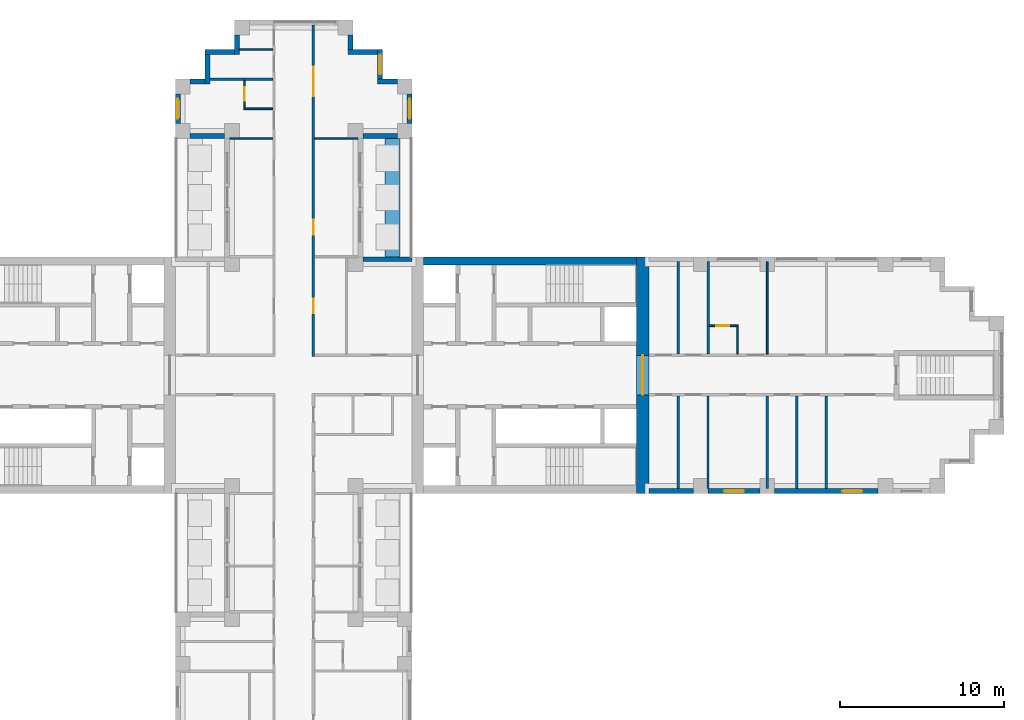
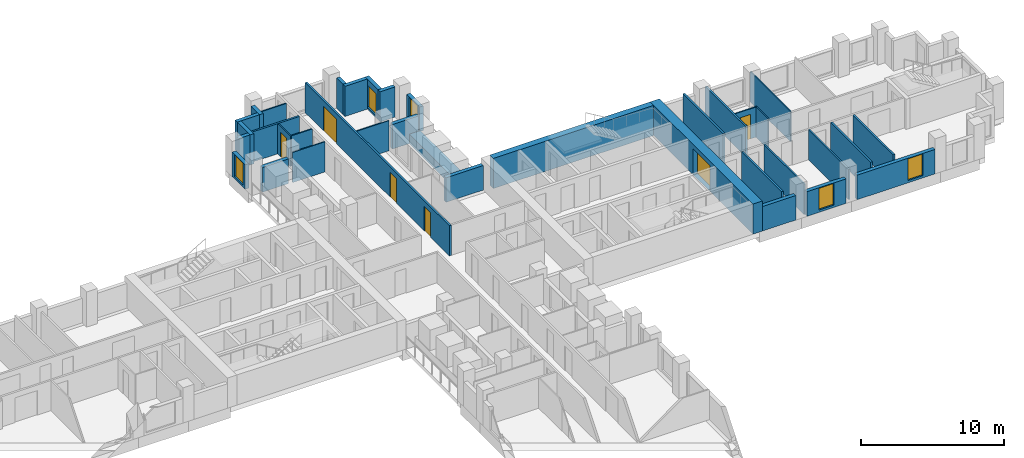
# One storey, part 9 of 13: 36 walls, 6 doors, 5 windows, 11 openings.
"""IFC4 building model written with IfcOpenShell, lengths in metres."""

from ifc_helpers import new_model, si_unit, direction, frame, frame_2d, origin, place, context, subcontext, project, spatial, rectangle, extrude, material, layer, layer_set, type_object, element, fill, save


model = new_model("IFC4")

# Units and contexts
model_context = context("Model", 3, precision=1e-05, world=origin(), true_north=direction((0.0, 1.0)))
body_context = subcontext(model_context, "Body", "Model", "MODEL_VIEW")
ifc_project = project(units=[si_unit("LENGTHUNIT", "METRE"), si_unit("AREAUNIT", "SQUARE_METRE"), si_unit("VOLUMEUNIT", "CUBIC_METRE"), si_unit("PLANEANGLEUNIT", "RADIAN"), si_unit("MASSUNIT", "GRAM", prefix="KILO")], contexts=[model_context])

# Site, building, storey
site_placement = place(None, origin())
site = spatial("IfcSite", under=ifc_project, at=site_placement, CompositionType="ELEMENT")
building_placement = place(site_placement, origin())
building = spatial("IfcBuilding", under=site, at=building_placement, Name="Fustian Cross Tower", CompositionType="ELEMENT")
storey_placement = place(building_placement, frame((0.0, 0.0, 81.89990234375)))
storey = spatial("IfcBuildingStorey", under=building, at=storey_placement, Name="L25", CompositionType="ELEMENT", Elevation=81.89990234375)

# Wall
ifc_material_1 = material(Name="Plasterboard on steel stud", Category="steel")
ifc_layer_1 = layer(ifc_material_1, 0.14990234375)
ifc_layer_set_1 = layer_set([ifc_layer_1], Name="Plasterboard on steel stud")
wall_type_1 = type_object("IfcWallType", Name="COMPARTMENT WALL 150 EI 60", PredefinedType="PARTITIONING", material=ifc_layer_set_1)
wall_1_placement = place(storey_placement, frame((-5.10009765625, 18.0, 0.0), z_axis=(0.0, 0.0, 1.0), x_axis=(1.0, 0.0, 0.0)))
element("IfcWall", 1, at=wall_1_placement, inside=storey, type_object=wall_type_1, Name="Partition 21", PredefinedType="PARTITIONING", context=body_context, shape_type="SweptSolid", body=[
    extrude(rectangle(XDim=3.8251953125, YDim=0.14990234375, at=frame_2d((1.91259765625, 0.0))), origin(), (0.0, 0.0, 1.0), 2.5751953125),
])

# Wall, openings, doors
wall_2_placement = place(storey_placement, frame((1.199951171875, 1.125, 0.0), z_axis=(0.0, 0.0, 1.0), x_axis=(0.0, 1.0, 0.0)))
wall_2 = element("IfcWall", 2, at=wall_2_placement, inside=storey, type_object=wall_type_1, Name="Partition 46", PredefinedType="PARTITIONING", context=body_context, shape_type="SweptSolid", body=[
    extrude(rectangle(XDim=20.175048828125, YDim=0.14990234375, at=frame_2d((10.08740234375, 0.0))), origin(), (0.0, 0.0, 1.0), 2.5751953125),
])
opening_1_placement = place(wall_2_placement, frame((2.625, 0.0, 0.0)))
opening_1 = element("IfcOpeningElement", 3, at=opening_1_placement, cuts=wall_2, Name="Opening D12001", PredefinedType="OPENING", context=body_context, shape_type="SweptSolid", body=[
    extrude(rectangle(XDim=0.89990234375, YDim=2.10009765625, at=frame_2d((0.449951171875, 1.050048828125))), frame((0.0, 0.0849609375, 0.0), z_axis=(0.0, -1.0, 0.0), x_axis=(1.0, 0.0, 0.0)), (0.0, 0.0, 1.0), 0.169921875),
])
opening_2_placement = place(wall_2_placement, frame((7.425048828125, 0.0, 0.0)))
opening_2 = element("IfcOpeningElement", 4, at=opening_2_placement, cuts=wall_2, Name="Opening D12026", PredefinedType="OPENING", context=body_context, shape_type="SweptSolid", body=[
    extrude(rectangle(XDim=0.89990234375, YDim=2.10009765625, at=frame_2d((0.449951171875, 1.050048828125))), frame((0.0, 0.0849609375, 0.0), z_axis=(0.0, -1.0, 0.0), x_axis=(1.0, 0.0, 0.0)), (0.0, 0.0, 1.0), 0.169921875),
])
opening_3_placement = place(wall_2_placement, frame((15.824951171875, 0.0, 0.0)))
opening_3 = element("IfcOpeningElement", 5, at=opening_3_placement, cuts=wall_2, Name="Opening D12027", PredefinedType="OPENING", context=body_context, shape_type="SweptSolid", body=[
    extrude(rectangle(XDim=1.800048828125, YDim=2.10009765625, at=frame_2d((0.89990234375, 1.050048828125))), frame((0.0, 0.0849609375, 0.0), z_axis=(0.0, -1.0, 0.0), x_axis=(1.0, 0.0, 0.0)), (0.0, 0.0, 1.0), 0.169921875),
])
ifc_material_2 = material(Name="Timber fire door set", Category="wood")
door_type_1 = type_object("IfcDoorType", Name="FIRE DOUBLE DOOR 1800 FD30S", OperationType="DOUBLE_DOOR_DOUBLE_SWING", PredefinedType="DOOR", material=ifc_material_2)
door_1_placement = place(opening_3_placement, origin())
door_1 = element("IfcDoor", 6, at=door_1_placement, inside=storey, type_object=door_type_1, Name="Door D12027", OperationType="DOUBLE_DOOR_DOUBLE_SWING", OverallHeight=2.10009765625, OverallWidth=1.800048828125, PredefinedType="DOOR", context=body_context, shape_type="SweptSolid", body=[
    extrude(rectangle(XDim=1.800048828125, YDim=2.10009765625, at=frame_2d((0.89990234375, 1.050048828125))), frame((0.0, 0.02490234375, 0.0), z_axis=(0.0, -1.0, 0.0), x_axis=(1.0, 0.0, 0.0)), (0.0, 0.0, 1.0), 0.050048828125),
])
fill(opening_3, door_1)
ifc_material_3 = material(Name="Timber fire door set", Category="wood")
door_type_2 = type_object("IfcDoorType", Name="FIRE SWING DOOR 900 FD30S", OperationType="SINGLE_SWING_LEFT", PredefinedType="DOOR", material=ifc_material_3)
door_2_placement = place(opening_1_placement, frame((0.89990234375, 0.0, 0.0), z_axis=(0.0, 0.0, 1.0), x_axis=(-1.0, 0.0, 0.0)))
door_2 = element("IfcDoor", 7, at=door_2_placement, inside=storey, type_object=door_type_2, Name="Door D12001", OperationType="SINGLE_SWING_RIGHT", OverallHeight=2.10009765625, OverallWidth=0.89990234375, PredefinedType="DOOR", context=body_context, shape_type="SweptSolid", body=[
    extrude(rectangle(XDim=0.89990234375, YDim=2.10009765625, at=frame_2d((0.449951171875, 1.050048828125))), frame((0.0, 0.02490234375, 0.0), z_axis=(0.0, -1.0, 0.0), x_axis=(1.0, 0.0, 0.0)), (0.0, 0.0, 1.0), 0.050048828125),
])
fill(opening_1, door_2)
door_3_placement = place(opening_2_placement, frame((0.89990234375, 0.0, 0.0), z_axis=(0.0, 0.0, 1.0), x_axis=(-1.0, 0.0, 0.0)))
door_3 = element("IfcDoor", 8, at=door_3_placement, inside=storey, type_object=door_type_2, Name="Door D12026", OperationType="SINGLE_SWING_RIGHT", OverallHeight=2.10009765625, OverallWidth=0.89990234375, PredefinedType="DOOR", context=body_context, shape_type="SweptSolid", body=[
    extrude(rectangle(XDim=0.89990234375, YDim=2.10009765625, at=frame_2d((0.449951171875, 1.050048828125))), frame((0.0, 0.02490234375, 0.0), z_axis=(0.0, -1.0, 0.0), x_axis=(1.0, 0.0, 0.0)), (0.0, 0.0, 1.0), 0.050048828125),
])
fill(opening_2, door_3)

# Walls
for number, where, z_axis, x_axis, name in (
    (9, (23.39990234375, -6.89990234375, 0.0), (0.0, 0.0, 1.0), (0.0, 1.0, 0.0), "Partition 57"),
    (10, (23.39990234375, 1.27490234375, 0.0), (0.0, 0.0, 1.0), (0.0, 1.0, 0.0), "Partition 58"),
    (11, (25.199951171875, 1.27490234375, 0.0), (0.0, 0.0, 1.0), (0.0, 1.0, 0.0), "Partition 60"),
    (12, (30.60009765625, -6.89990234375, 0.0), (0.0, 0.0, 1.0), (0.0, 1.0, 0.0), "Partition 65"),
    (13, (32.39990234375, -6.89990234375, 0.0), (0.0, 0.0, 1.0), (0.0, 1.0, 0.0), "Partition 66"),
):
    element("IfcWall", number, at=place(storey_placement, frame(where, z_axis=z_axis, x_axis=x_axis)), inside=storey, type_object=wall_type_1, Name=name, PredefinedType="PARTITIONING", context=body_context, shape_type="SweptSolid", body=[
        extrude(rectangle(XDim=5.625, YDim=0.14990234375, at=frame_2d((2.8125, 0.0))), origin(), (0.0, 0.0, 1.0), 2.5751953125),
    ])

# Wall, opening, door
ifc_material_4 = material(Name="Concrete C70/85", Category="concrete")
ifc_layer_2 = layer(ifc_material_4, 0.75)
ifc_layer_set_2 = layer_set([ifc_layer_2], Name="Concrete C70/85")
wall_type_2 = type_object("IfcWallType", Name="CORE END WALL 750 C70/85", PredefinedType="SHEAR", material=ifc_layer_set_2)
wall_3_placement = place(storey_placement, frame((21.22509765625, -7.199951171875, 0.0), z_axis=(0.0, 0.0, 1.0), x_axis=(0.0, 1.0, 0.0)))
wall_3 = element("IfcWall", 14, at=wall_3_placement, inside=storey, type_object=wall_type_2, Name="Core end wall", PredefinedType="SHEAR", context=body_context, shape_type="SweptSolid", body=[
    extrude(rectangle(XDim=14.39990234375, YDim=0.75, at=frame_2d((7.199951171875, 0.0))), origin(), (0.0, 0.0, 1.0), 2.5751953125),
])
opening_4_placement = place(wall_3_placement, frame((6.0, 0.0, 0.0)))
opening_4 = element("IfcOpeningElement", 15, at=opening_4_placement, cuts=wall_3, Name="Opening CD-10-13", PredefinedType="OPENING", context=body_context, shape_type="SweptSolid", body=[
    extrude(rectangle(XDim=2.39990234375, YDim=2.199951171875, at=frame_2d((1.199951171875, 1.10009765625))), frame((0.0, 0.385009765625, 0.0), z_axis=(0.0, -1.0, 0.0), x_axis=(1.0, 0.0, 0.0)), (0.0, 0.0, 1.0), 0.77001953125),
])
ifc_material_5 = material(Name="Steel", Category="steel")
door_type_3 = type_object("IfcDoorType", Name="FIRE DOOR FD30S DOUBLE 2400X2200", OperationType="DOUBLE_DOOR_DOUBLE_SWING", PredefinedType="DOOR", material=ifc_material_5)
door_4_placement = place(opening_4_placement, origin())
door_4 = element("IfcDoor", 16, at=door_4_placement, inside=storey, type_object=door_type_3, Name="Core door CD-10-13", OperationType="DOUBLE_DOOR_DOUBLE_SWING", OverallHeight=2.199951171875, OverallWidth=2.39990234375, PredefinedType="DOOR", context=body_context, shape_type="SweptSolid", body=[
    extrude(rectangle(XDim=2.39990234375, YDim=2.199951171875, at=frame_2d((1.199951171875, 1.10009765625))), frame((0.0, 0.02490234375, 0.0), z_axis=(0.0, -1.0, 0.0), x_axis=(1.0, 0.0, 0.0)), (0.0, 0.0, 1.0), 0.050048828125),
])
fill(opening_4, door_4)

# Walls
ifc_material_6 = material(Name="Concrete C70/85", Category="concrete")
ifc_layer_3 = layer(ifc_material_6, 0.5)
ifc_layer_set_3 = layer_set([ifc_layer_3], Name="Concrete C70/85")
wall_type_3 = type_object("IfcWallType", Name="CORE FACADE WALL 500 C70/85", PredefinedType="SHEAR", material=ifc_layer_set_3)
wall_4_placement = place(storey_placement, frame((7.89990234375, 6.949951171875, 0.0), z_axis=(0.0, 0.0, 1.0), x_axis=(1.0, 0.0, 0.0)))
element("IfcWall", 17, at=wall_4_placement, inside=storey, type_object=wall_type_3, Name="Core facade wall", PredefinedType="SHEAR", context=body_context, shape_type="SweptSolid", body=[
    extrude(rectangle(XDim=12.9501953125, YDim=0.5, at=frame_2d((6.47509765625, 0.0))), origin(), (0.0, 0.0, 1.0), 2.5751953125),
])
ifc_material_7 = material(Name="Plasterboard on steel stud", Category="steel")
ifc_layer_4 = layer(ifc_material_7, 0.10009765625)
ifc_layer_set_4 = layer_set([ifc_layer_4], Name="Plasterboard on steel stud")
wall_type_4 = type_object("IfcWallType", Name="PARTITION 100 STUD", PredefinedType="PARTITIONING", material=ifc_layer_set_4)
wall_5_placement = place(storey_placement, frame((-3.89990234375, 14.39990234375, 0.0), z_axis=(0.0, 0.0, 1.0), x_axis=(1.0, 0.0, 0.0)))
element("IfcWall", 18, at=wall_5_placement, inside=storey, type_object=wall_type_4, Name="Partition 29", PredefinedType="PARTITIONING", context=body_context, shape_type="SweptSolid", body=[
    extrude(rectangle(XDim=2.625, YDim=0.10009765625, at=frame_2d((1.3125, 0.0))), origin(), (0.0, 0.0, 1.0), 2.5751953125),
])
wall_6_placement = place(storey_placement, frame((-3.300048828125, 19.800048828125, 0.0), z_axis=(0.0, 0.0, 1.0), x_axis=(1.0, 0.0, 0.0)))
element("IfcWall", 19, at=wall_6_placement, inside=storey, type_object=wall_type_4, Name="Partition 30", PredefinedType="PARTITIONING", context=body_context, shape_type="SweptSolid", body=[
    extrude(rectangle(XDim=2.025146484375, YDim=0.10009765625, at=frame_2d((1.0126953125, 0.0))), origin(), (0.0, 0.0, 1.0), 2.5751953125),
])

# Wall, opening, door
wall_7_placement = place(storey_placement, frame((-3.0, 16.14990234375, 0.0), z_axis=(0.0, 0.0, 1.0), x_axis=(0.0, 1.0, 0.0)))
wall_7 = element("IfcWall", 20, at=wall_7_placement, inside=storey, type_object=wall_type_4, Name="Partition 31", PredefinedType="PARTITIONING", context=body_context, shape_type="SweptSolid", body=[
    extrude(rectangle(XDim=1.775146484375, YDim=0.10009765625, at=frame_2d((0.8876953125, 0.0))), origin(), (0.0, 0.0, 1.0), 2.5751953125),
])
opening_5_placement = place(wall_7_placement, frame((0.550048828125, 0.0, 0.0)))
opening_5 = element("IfcOpeningElement", 21, at=opening_5_placement, cuts=wall_7, Name="Opening D12022", PredefinedType="OPENING", context=body_context, shape_type="SweptSolid", body=[
    extrude(rectangle(XDim=0.800048828125, YDim=2.10009765625, at=frame_2d((0.39990234375, 1.050048828125))), frame((0.0, 0.06005859375, 0.0), z_axis=(0.0, -1.0, 0.0), x_axis=(1.0, 0.0, 0.0)), (0.0, 0.0, 1.0), 0.1201171875),
])
ifc_material_8 = material(Name="Painted timber", Category="wood")
door_type_4 = type_object("IfcDoorType", Name="SWING DOOR 800", OperationType="SINGLE_SWING_LEFT", PredefinedType="DOOR", material=ifc_material_8)
door_5_placement = place(opening_5_placement, frame((0.800048828125, 0.0, 0.0), z_axis=(0.0, 0.0, 1.0), x_axis=(-1.0, 0.0, 0.0)))
door_5 = element("IfcDoor", 22, at=door_5_placement, inside=storey, type_object=door_type_4, Name="Door D12022", OperationType="SINGLE_SWING_LEFT", OverallHeight=2.10009765625, OverallWidth=0.800048828125, PredefinedType="DOOR", context=body_context, shape_type="SweptSolid", body=[
    extrude(rectangle(XDim=0.800048828125, YDim=2.10009765625, at=frame_2d((0.39990234375, 1.050048828125))), frame((0.0, 0.02490234375, 0.0), z_axis=(0.0, -1.0, 0.0), x_axis=(1.0, 0.0, 0.0)), (0.0, 0.0, 1.0), 0.050048828125),
])
fill(opening_5, door_5)

# Walls
wall_8_placement = place(storey_placement, frame((-2.949951171875, 16.199951171875, 0.0), z_axis=(0.0, 0.0, 1.0), x_axis=(1.0, 0.0, 0.0)))
element("IfcWall", 23, at=wall_8_placement, inside=storey, type_object=wall_type_4, Name="Partition 32", PredefinedType="PARTITIONING", context=body_context, shape_type="SweptSolid", body=[
    extrude(rectangle(XDim=1.675048828125, YDim=0.10009765625, at=frame_2d((0.83740234375, 0.0))), origin(), (0.0, 0.0, 1.0), 2.5751953125),
])
wall_9_placement = place(storey_placement, frame((1.27490234375, 14.39990234375, 0.0), z_axis=(0.0, 0.0, 1.0), x_axis=(1.0, 0.0, 0.0)))
element("IfcWall", 24, at=wall_9_placement, inside=storey, type_object=wall_type_4, Name="Partition 49", PredefinedType="PARTITIONING", context=body_context, shape_type="SweptSolid", body=[
    extrude(rectangle(XDim=2.625, YDim=0.10009765625, at=frame_2d((1.3125, 0.0))), origin(), (0.0, 0.0, 1.0), 2.5751953125),
])

# Wall, opening, door
wall_10_placement = place(storey_placement, frame((25.27490234375, 3.0, 0.0), z_axis=(0.0, 0.0, 1.0), x_axis=(1.0, 0.0, 0.0)))
wall_10 = element("IfcWall", 25, at=wall_10_placement, inside=storey, type_object=wall_type_4, Name="Partition 61", PredefinedType="PARTITIONING", context=body_context, shape_type="SweptSolid", body=[
    extrude(rectangle(XDim=1.775146484375, YDim=0.10009765625, at=frame_2d((0.8876953125, 0.0))), origin(), (0.0, 0.0, 1.0), 2.5751953125),
])
opening_6_placement = place(wall_10_placement, frame((0.425048828125, 0.0, 0.0)))
opening_6 = element("IfcOpeningElement", 26, at=opening_6_placement, cuts=wall_10, Name="Opening D12011", PredefinedType="OPENING", context=body_context, shape_type="SweptSolid", body=[
    extrude(rectangle(XDim=0.800048828125, YDim=2.10009765625, at=frame_2d((0.39990234375, 1.050048828125))), frame((0.0, 0.06005859375, 0.0), z_axis=(0.0, -1.0, 0.0), x_axis=(1.0, 0.0, 0.0)), (0.0, 0.0, 1.0), 0.1201171875),
])
door_6_placement = place(opening_6_placement, frame((0.800048828125, 0.0, 0.0), z_axis=(0.0, 0.0, 1.0), x_axis=(-1.0, 0.0, 0.0)))
door_6 = element("IfcDoor", 27, at=door_6_placement, inside=storey, type_object=door_type_4, Name="Door D12011", OperationType="SINGLE_SWING_LEFT", OverallHeight=2.10009765625, OverallWidth=0.800048828125, PredefinedType="DOOR", context=body_context, shape_type="SweptSolid", body=[
    extrude(rectangle(XDim=0.800048828125, YDim=2.10009765625, at=frame_2d((0.39990234375, 1.050048828125))), frame((0.0, 0.02490234375, 0.0), z_axis=(0.0, -1.0, 0.0), x_axis=(1.0, 0.0, 0.0)), (0.0, 0.0, 1.0), 0.050048828125),
])
fill(opening_6, door_6)

# Walls
wall_11_placement = place(storey_placement, frame((27.0, 1.27490234375, 0.0), z_axis=(0.0, 0.0, 1.0), x_axis=(0.0, 1.0, 0.0)))
element("IfcWall", 28, at=wall_11_placement, inside=storey, type_object=wall_type_4, Name="Partition 62", PredefinedType="PARTITIONING", context=body_context, shape_type="SweptSolid", body=[
    extrude(rectangle(XDim=1.675048828125, YDim=0.10009765625, at=frame_2d((0.83740234375, 0.0))), origin(), (0.0, 0.0, 1.0), 2.5751953125),
])
wall_12_placement = place(storey_placement, frame((28.800048828125, 1.27490234375, 0.0), z_axis=(0.0, 0.0, 1.0), x_axis=(0.0, 1.0, 0.0)))
element("IfcWall", 29, at=wall_12_placement, inside=storey, type_object=wall_type_4, Name="Partition 64", PredefinedType="PARTITIONING", context=body_context, shape_type="SweptSolid", body=[
    extrude(rectangle(XDim=5.625, YDim=0.10009765625, at=frame_2d((2.8125, 0.0))), origin(), (0.0, 0.0, 1.0), 2.5751953125),
])
ifc_material_9 = material(Name="Concrete C40/50", Category="concrete")
ifc_layer_5 = layer(ifc_material_9, 0.89990234375)
ifc_layer_set_5 = layer_set([ifc_layer_5], Name="Concrete C40/50")
wall_type_5 = type_object("IfcWallType", Name="PK1 PLANTER 900", PredefinedType="PARAPET", material=ifc_layer_set_5)
wall_13_placement = place(storey_placement, frame((6.0, 7.199951171875, 0.0), z_axis=(0.0, 0.0, 1.0), x_axis=(0.0, 1.0, 0.0)))
element("IfcWall", 30, at=wall_13_placement, inside=storey, type_object=wall_type_5, Name="PLANTER", PredefinedType="PARAPET", context=body_context, shape_type="SweptSolid", body=[
    extrude(rectangle(XDim=7.199951171875, YDim=0.89990234375, at=frame_2d((3.60009765625, 0.0))), origin(), (0.0, 0.0, 1.0), 0.800048828125),
])
ifc_material_10 = material(Name="Plasterboard on steel stud", Category="steel")
ifc_layer_6 = layer(ifc_material_10, 0.125)
ifc_layer_set_6 = layer_set([ifc_layer_6], Name="Plasterboard on steel stud")
wall_type_6 = type_object("IfcWallType", Name="WET WALL 125 STUD", PredefinedType="PARTITIONING", material=ifc_layer_set_6)
for number, where, z_axis, x_axis, name in (
    (31, (25.199951171875, -6.89990234375, 0.0), (0.0, 0.0, 1.0), (0.0, 1.0, 0.0), "Partition 59"),
    (32, (28.800048828125, -6.89990234375, 0.0), (0.0, 0.0, 1.0), (0.0, 1.0, 0.0), "Partition 63"),
):
    element("IfcWall", number, at=place(storey_placement, frame(where, z_axis=z_axis, x_axis=x_axis)), inside=storey, type_object=wall_type_6, Name=name, PredefinedType="PARTITIONING", context=body_context, shape_type="SweptSolid", body=[
        extrude(rectangle(XDim=5.625, YDim=0.125, at=frame_2d((2.8125, 0.0))), origin(), (0.0, 0.0, 1.0), 2.5751953125),
    ])
ifc_material_11 = material(Name="Dark aluminium cladding on insulated backing wall", Category="aluminium")
ifc_layer_7 = layer(ifc_material_11, 0.300048828125)
ifc_layer_set_7 = layer_set([ifc_layer_7], Name="Dark aluminium cladding on insulated backing wall")
wall_type_7 = type_object("IfcWallType", Name="XW1 EXTERNAL WALL 300", PredefinedType="SOLIDWALL", material=ifc_layer_set_7)
wall_14_placement = place(storey_placement, frame((21.60009765625, -7.050048828125, 0.0), z_axis=(0.0, 0.0, 1.0), x_axis=(1.0, 0.0, 0.0)))
element("IfcWall", 33, at=wall_14_placement, inside=storey, type_object=wall_type_7, Name="External wall", PredefinedType="SOLIDWALL", context=body_context, shape_type="SweptSolid", body=[
    extrude(rectangle(XDim=2.699951171875, YDim=0.300048828125, at=frame_2d((1.35009765625, 0.0))), origin(), (0.0, 0.0, 1.0), 2.10009765625),
])

# Wall, opening, window
wall_15_placement = place(storey_placement, frame((25.199951171875, -7.050048828125, 0.0), z_axis=(0.0, 0.0, 1.0), x_axis=(1.0, 0.0, 0.0)))
wall_15 = element("IfcWall", 34, at=wall_15_placement, inside=storey, type_object=wall_type_7, Name="External wall", PredefinedType="SOLIDWALL", context=body_context, shape_type="SweptSolid", body=[
    extrude(rectangle(XDim=3.150146484375, YDim=0.300048828125, at=frame_2d((1.5751953125, 0.0))), origin(), (0.0, 0.0, 1.0), 2.10009765625),
])
opening_7_placement = place(wall_15_placement, frame((0.97509765625, 0.0, 0.199951171875)))
opening_7 = element("IfcOpeningElement", 35, at=opening_7_placement, cuts=wall_15, Name="Opening WN3", PredefinedType="OPENING", context=body_context, shape_type="SweptSolid", body=[
    extrude(rectangle(XDim=1.199951171875, YDim=1.85009765625, at=frame_2d((0.60009765625, 0.925048828125))), frame((0.0, 0.159912109375, 0.0), z_axis=(0.0, -1.0, 0.0), x_axis=(1.0, 0.0, 0.0)), (0.0, 0.0, 1.0), 0.320068359375),
])
ifc_material_12 = material(Name="Dark anodised aluminium and double glazing", Category="aluminium")
window_type = type_object("IfcWindowType", Name="WN3 WINDOW 1200X1850", PartitioningType="SINGLE_PANEL", PredefinedType="WINDOW", material=ifc_material_12)
window_1_placement = place(opening_7_placement, origin())
window_1 = element("IfcWindow", 36, at=window_1_placement, inside=storey, type_object=window_type, Name="Window", OverallHeight=1.85009765625, OverallWidth=1.199951171875, PartitioningType="SINGLE_PANEL", PredefinedType="WINDOW", context=body_context, shape_type="SweptSolid", body=[
    extrude(rectangle(XDim=1.199951171875, YDim=1.85009765625, at=frame_2d((0.60009765625, 0.925048828125))), frame((0.0, 0.030029296875, 0.0), z_axis=(0.0, -1.0, 0.0), x_axis=(1.0, 0.0, 0.0)), (0.0, 0.0, 1.0), 0.06005859375),
])
fill(opening_7, window_1)

wall_16_placement = place(storey_placement, frame((29.25, -7.050048828125, 0.0), z_axis=(0.0, 0.0, 1.0), x_axis=(1.0, 0.0, 0.0)))
wall_16 = element("IfcWall", 37, at=wall_16_placement, inside=storey, type_object=wall_type_7, Name="External wall", PredefinedType="SOLIDWALL", context=body_context, shape_type="SweptSolid", body=[
    extrude(rectangle(XDim=6.300048828125, YDim=0.300048828125, at=frame_2d((3.14990234375, 0.0))), origin(), (0.0, 0.0, 1.0), 2.10009765625),
])
opening_8_placement = place(wall_16_placement, frame((4.125, 0.0, 0.199951171875)))
opening_8 = element("IfcOpeningElement", 38, at=opening_8_placement, cuts=wall_16, Name="Opening WN3", PredefinedType="OPENING", context=body_context, shape_type="SweptSolid", body=[
    extrude(rectangle(XDim=1.199951171875, YDim=1.85009765625, at=frame_2d((0.60009765625, 0.925048828125))), frame((0.0, 0.159912109375, 0.0), z_axis=(0.0, -1.0, 0.0), x_axis=(1.0, 0.0, 0.0)), (0.0, 0.0, 1.0), 0.320068359375),
])
window_2_placement = place(opening_8_placement, origin())
window_2 = element("IfcWindow", 39, at=window_2_placement, inside=storey, type_object=window_type, Name="Window", OverallHeight=1.85009765625, OverallWidth=1.199951171875, PartitioningType="SINGLE_PANEL", PredefinedType="WINDOW", context=body_context, shape_type="SweptSolid", body=[
    extrude(rectangle(XDim=1.199951171875, YDim=1.85009765625, at=frame_2d((0.60009765625, 0.925048828125))), frame((0.0, 0.030029296875, 0.0), z_axis=(0.0, -1.0, 0.0), x_axis=(1.0, 0.0, 0.0)), (0.0, 0.0, 1.0), 0.06005859375),
])
fill(opening_8, window_2)

# Walls
wall_17_placement = place(storey_placement, frame((7.199951171875, 7.050048828125, 0.0), z_axis=(0.0, 0.0, 1.0), x_axis=(-1.0, 0.0, 0.0)))
element("IfcWall", 40, at=wall_17_placement, inside=storey, type_object=wall_type_7, Name="External wall", PredefinedType="SOLIDWALL", context=body_context, shape_type="SweptSolid", body=[
    extrude(rectangle(XDim=3.0, YDim=0.300048828125, at=frame_2d((1.5, 0.0))), origin(), (0.0, 0.0, 1.0), 2.10009765625),
])
wall_18_placement = place(storey_placement, frame((4.199951171875, 14.550048828125, 0.0), z_axis=(0.0, 0.0, 1.0), x_axis=(1.0, 0.0, 0.0)))
element("IfcWall", 41, at=wall_18_placement, inside=storey, type_object=wall_type_7, Name="External wall", PredefinedType="SOLIDWALL", context=body_context, shape_type="SweptSolid", body=[
    extrude(rectangle(XDim=2.10009765625, YDim=0.300048828125, at=frame_2d((1.050048828125, 0.0))), origin(), (0.0, 0.0, 1.0), 2.10009765625),
])

# Wall, opening, window
wall_19_placement = place(storey_placement, frame((7.050048828125, 15.300048828125, 0.0), z_axis=(0.0, 0.0, 1.0), x_axis=(0.0, 1.0, 0.0)))
wall_19 = element("IfcWall", 42, at=wall_19_placement, inside=storey, type_object=wall_type_7, Name="External wall", PredefinedType="SOLIDWALL", context=body_context, shape_type="SweptSolid", body=[
    extrude(rectangle(XDim=1.800048828125, YDim=0.300048828125, at=frame_2d((0.89990234375, 0.0))), origin(), (0.0, 0.0, 1.0), 2.10009765625),
])
opening_9_placement = place(wall_19_placement, frame((0.300048828125, 0.0, 0.199951171875)))
opening_9 = element("IfcOpeningElement", 43, at=opening_9_placement, cuts=wall_19, Name="Opening WN3", PredefinedType="OPENING", context=body_context, shape_type="SweptSolid", body=[
    extrude(rectangle(XDim=1.199951171875, YDim=1.85009765625, at=frame_2d((0.60009765625, 0.925048828125))), frame((0.0, 0.159912109375, 0.0), z_axis=(0.0, -1.0, 0.0), x_axis=(1.0, 0.0, 0.0)), (0.0, 0.0, 1.0), 0.320068359375),
])
window_3_placement = place(opening_9_placement, origin())
window_3 = element("IfcWindow", 44, at=window_3_placement, inside=storey, type_object=window_type, Name="Window", OverallHeight=1.85009765625, OverallWidth=1.199951171875, PartitioningType="SINGLE_PANEL", PredefinedType="WINDOW", context=body_context, shape_type="SweptSolid", body=[
    extrude(rectangle(XDim=1.199951171875, YDim=1.85009765625, at=frame_2d((0.60009765625, 0.925048828125))), frame((0.0, 0.030029296875, 0.0), z_axis=(0.0, -1.0, 0.0), x_axis=(1.0, 0.0, 0.0)), (0.0, 0.0, 1.0), 0.06005859375),
])
fill(opening_9, window_3)

# Wall
wall_20_placement = place(storey_placement, frame((6.300048828125, 17.85009765625, 0.0), z_axis=(0.0, 0.0, 1.0), x_axis=(-1.0, 0.0, 0.0)))
element("IfcWall", 45, at=wall_20_placement, inside=storey, type_object=wall_type_7, Name="External wall", PredefinedType="SOLIDWALL", context=body_context, shape_type="SweptSolid", body=[
    extrude(rectangle(XDim=1.199951171875, YDim=0.300048828125, at=frame_2d((0.60009765625, 0.0))), origin(), (0.0, 0.0, 1.0), 2.5751953125),
])

# Wall, opening, window
wall_21_placement = place(storey_placement, frame((5.25, 18.0, 0.0), z_axis=(0.0, 0.0, 1.0), x_axis=(0.0, 1.0, 0.0)))
wall_21 = element("IfcWall", 46, at=wall_21_placement, inside=storey, type_object=wall_type_7, Name="External wall", PredefinedType="SOLIDWALL", context=body_context, shape_type="SweptSolid", body=[
    extrude(rectangle(XDim=1.800048828125, YDim=0.300048828125, at=frame_2d((0.89990234375, 0.0))), origin(), (0.0, 0.0, 1.0), 2.5751953125),
])
opening_10_placement = place(wall_21_placement, frame((0.300048828125, 0.0, 0.199951171875)))
opening_10 = element("IfcOpeningElement", 47, at=opening_10_placement, cuts=wall_21, Name="Opening WN3", PredefinedType="OPENING", context=body_context, shape_type="SweptSolid", body=[
    extrude(rectangle(XDim=1.199951171875, YDim=1.85009765625, at=frame_2d((0.60009765625, 0.925048828125))), frame((0.0, 0.159912109375, 0.0), z_axis=(0.0, -1.0, 0.0), x_axis=(1.0, 0.0, 0.0)), (0.0, 0.0, 1.0), 0.320068359375),
])
window_4_placement = place(opening_10_placement, origin())
window_4 = element("IfcWindow", 48, at=window_4_placement, inside=storey, type_object=window_type, Name="Window", OverallHeight=1.85009765625, OverallWidth=1.199951171875, PartitioningType="SINGLE_PANEL", PredefinedType="WINDOW", context=body_context, shape_type="SweptSolid", body=[
    extrude(rectangle(XDim=1.199951171875, YDim=1.85009765625, at=frame_2d((0.60009765625, 0.925048828125))), frame((0.0, 0.030029296875, 0.0), z_axis=(0.0, -1.0, 0.0), x_axis=(1.0, 0.0, 0.0)), (0.0, 0.0, 1.0), 0.06005859375),
])
fill(opening_10, window_4)

# Walls
wall_22_placement = place(storey_placement, frame((5.10009765625, 19.64990234375, 0.0), z_axis=(0.0, 0.0, 1.0), x_axis=(-1.0, 0.0, 0.0)))
element("IfcWall", 49, at=wall_22_placement, inside=storey, type_object=wall_type_7, Name="External wall", PredefinedType="SOLIDWALL", context=body_context, shape_type="SweptSolid", body=[
    extrude(rectangle(XDim=1.800048828125, YDim=0.300048828125, at=frame_2d((0.89990234375, 0.0))), origin(), (0.0, 0.0, 1.0), 2.5751953125),
])
wall_23_placement = place(storey_placement, frame((3.449951171875, 19.800048828125, 0.0), z_axis=(0.0, 0.0, 1.0), x_axis=(0.0, 1.0, 0.0)))
element("IfcWall", 50, at=wall_23_placement, inside=storey, type_object=wall_type_7, Name="External wall", PredefinedType="SOLIDWALL", context=body_context, shape_type="SweptSolid", body=[
    extrude(rectangle(XDim=0.89990234375, YDim=0.300048828125, at=frame_2d((0.449951171875, 0.0))), origin(), (0.0, 0.0, 1.0), 2.5751953125),
])
wall_24_placement = place(storey_placement, frame((-3.449951171875, 20.699951171875, 0.0), z_axis=(0.0, 0.0, 1.0), x_axis=(0.0, -1.0, 0.0)))
element("IfcWall", 51, at=wall_24_placement, inside=storey, type_object=wall_type_7, Name="External wall", PredefinedType="SOLIDWALL", context=body_context, shape_type="SweptSolid", body=[
    extrude(rectangle(XDim=1.199951171875, YDim=0.300048828125, at=frame_2d((0.60009765625, 0.0))), origin(), (0.0, 0.0, 1.0), 2.5751953125),
])
wall_25_placement = place(storey_placement, frame((-3.60009765625, 19.64990234375, 0.0), z_axis=(0.0, 0.0, 1.0), x_axis=(-1.0, 0.0, 0.0)))
element("IfcWall", 52, at=wall_25_placement, inside=storey, type_object=wall_type_7, Name="External wall", PredefinedType="SOLIDWALL", context=body_context, shape_type="SweptSolid", body=[
    extrude(rectangle(XDim=1.7998046875, YDim=0.300048828125, at=frame_2d((0.89990234375, 0.0))), origin(), (0.0, 0.0, 1.0), 2.5751953125),
])
wall_26_placement = place(storey_placement, frame((-5.25, 19.5, 0.0), z_axis=(0.0, 0.0, 1.0), x_axis=(0.0, -1.0, 0.0)))
element("IfcWall", 53, at=wall_26_placement, inside=storey, type_object=wall_type_7, Name="External wall", PredefinedType="SOLIDWALL", context=body_context, shape_type="SweptSolid", body=[
    extrude(rectangle(XDim=1.800048828125, YDim=0.300048828125, at=frame_2d((0.89990234375, 0.0))), origin(), (0.0, 0.0, 1.0), 2.5751953125),
])
wall_27_placement = place(storey_placement, frame((-5.39990234375, 17.85009765625, 0.0), z_axis=(0.0, 0.0, 1.0), x_axis=(-1.0, 0.0, 0.0)))
element("IfcWall", 54, at=wall_27_placement, inside=storey, type_object=wall_type_7, Name="External wall", PredefinedType="SOLIDWALL", context=body_context, shape_type="SweptSolid", body=[
    extrude(rectangle(XDim=0.900146484375, YDim=0.300048828125, at=frame_2d((0.4501953125, 0.0))), origin(), (0.0, 0.0, 1.0), 2.5751953125),
])

# Wall, opening, window
wall_28_placement = place(storey_placement, frame((-7.050048828125, 17.10009765625, 0.0), z_axis=(0.0, 0.0, 1.0), x_axis=(0.0, -1.0, 0.0)))
wall_28 = element("IfcWall", 55, at=wall_28_placement, inside=storey, type_object=wall_type_7, Name="External wall", PredefinedType="SOLIDWALL", context=body_context, shape_type="SweptSolid", body=[
    extrude(rectangle(XDim=1.800048828125, YDim=0.300048828125, at=frame_2d((0.89990234375, 0.0))), origin(), (0.0, 0.0, 1.0), 2.10009765625),
])
opening_11_placement = place(wall_28_placement, frame((0.300048828125, 0.0, 0.199951171875)))
opening_11 = element("IfcOpeningElement", 56, at=opening_11_placement, cuts=wall_28, Name="Opening WN3", PredefinedType="OPENING", context=body_context, shape_type="SweptSolid", body=[
    extrude(rectangle(XDim=1.199951171875, YDim=1.85009765625, at=frame_2d((0.60009765625, 0.925048828125))), frame((0.0, 0.159912109375, 0.0), z_axis=(0.0, -1.0, 0.0), x_axis=(1.0, 0.0, 0.0)), (0.0, 0.0, 1.0), 0.320068359375),
])
window_5_placement = place(opening_11_placement, origin())
window_5 = element("IfcWindow", 57, at=window_5_placement, inside=storey, type_object=window_type, Name="Window", OverallHeight=1.85009765625, OverallWidth=1.199951171875, PartitioningType="SINGLE_PANEL", PredefinedType="WINDOW", context=body_context, shape_type="SweptSolid", body=[
    extrude(rectangle(XDim=1.199951171875, YDim=1.85009765625, at=frame_2d((0.60009765625, 0.925048828125))), frame((0.0, 0.030029296875, 0.0), z_axis=(0.0, -1.0, 0.0), x_axis=(1.0, 0.0, 0.0)), (0.0, 0.0, 1.0), 0.06005859375),
])
fill(opening_11, window_5)

# Wall
wall_29_placement = place(storey_placement, frame((-6.300048828125, 14.550048828125, 0.0), z_axis=(0.0, 0.0, 1.0), x_axis=(1.0, 0.0, 0.0)))
element("IfcWall", 58, at=wall_29_placement, inside=storey, type_object=wall_type_7, Name="External wall", PredefinedType="SOLIDWALL", context=body_context, shape_type="SweptSolid", body=[
    extrude(rectangle(XDim=2.10009765625, YDim=0.300048828125, at=frame_2d((1.050048828125, 0.0))), origin(), (0.0, 0.0, 1.0), 2.10009765625),
])

save(model, "model.ifc")
